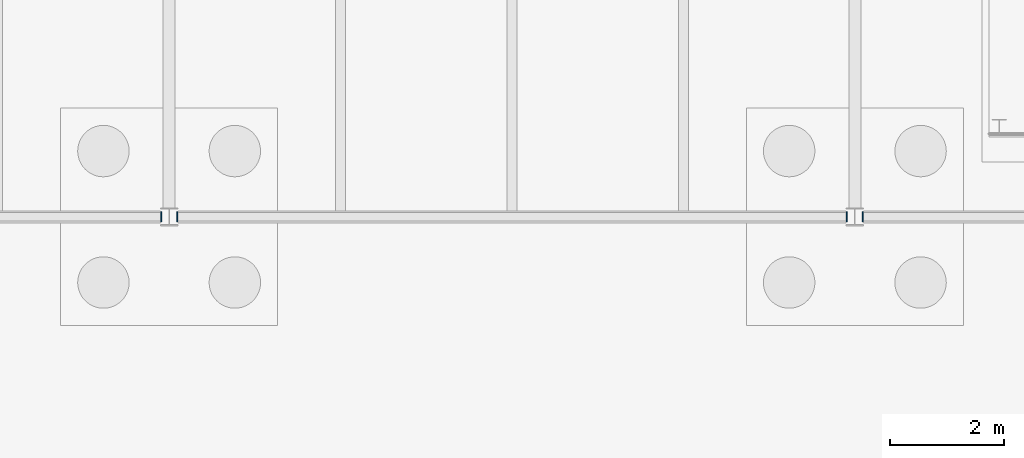
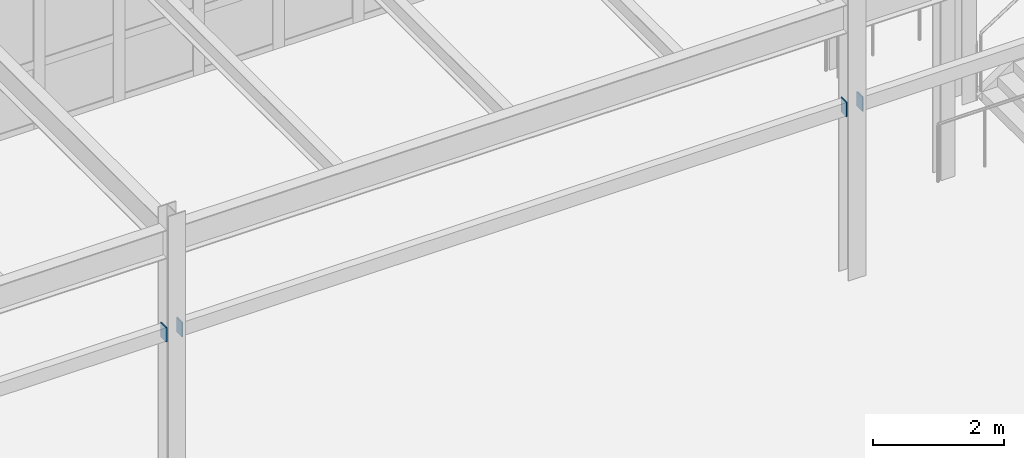
# One storey, part 154 of 188: 4 plates.
"""IFC4 building model written with IfcOpenShell, lengths in metres."""

import ifcopenshell
import ifcopenshell.guid

model = None  # the IFC model being written
_history = None  # IfcOwnerHistory: only IFC2X3 demands one
_inside = {}  # id of a spatial element -> (the spatial element, [elements in it])
_under = {}  # id of a project, library or spatial element -> (it, [spatial elements below it])
_declared = {}  # id of a project -> (the project, [libraries it declares])
_typed = {}  # id of a type object -> (the type object, [elements of that type])
_made_of = {}  # id of a material, layer set ... -> (it, [elements and type objects made of it])


def new_model(schema):
    """Start an empty IFC model of exactly this schema.

    Asked for "IFC4X3", IfcOpenShell would pick the latest addendum, in which some entities
    have other attributes; the version numbers below select the first issue.
    IFC2X3 requires an IfcOwnerHistory on every rooted entity: one is made here for all.
    """
    global model, _history
    if schema == "IFC4X3":
        model = ifcopenshell.file(schema_version=(4, 3, 0, 0))
    else:
        model = ifcopenshell.file(schema=schema)
    _inside.clear()
    _under.clear()
    _declared.clear()
    _typed.clear()
    _made_of.clear()
    _history = None
    if model.schema == "IFC2X3":
        org = make("IfcOrganization", Name="unknown")
        user = make(
            "IfcPersonAndOrganization",
            ThePerson=make("IfcPerson", FamilyName="unknown"),
            TheOrganization=org,
        )
        app = make(
            "IfcApplication",
            ApplicationDeveloper=org,
            Version="unknown",
            ApplicationFullName="unknown",
            ApplicationIdentifier="unknown",
        )
        _history = make(
            "IfcOwnerHistory",
            OwningUser=user,
            OwningApplication=app,
            ChangeAction="ADDED",
            CreationDate=0,
        )
    return model


def make(cls, **values):
    """One entity of the class cls with the attributes given. An attribute that is None is left unset."""
    return model.create_entity(
        cls, **{name: value for name, value in values.items() if value is not None}
    )


def rooted(cls, **values):
    """An entity with a GlobalId (a new one), such as an element, a storey or a relation."""
    return make(cls, GlobalId=ifcopenshell.guid.new(), OwnerHistory=_history, **values)


def si_unit(unit_type, name, prefix=None):
    """IfcSIUnit, for example si_unit("LENGTHUNIT", "METRE", prefix="MILLI")."""
    return make("IfcSIUnit", UnitType=unit_type, Prefix=prefix, Name=name)


def assignment(units):
    """IfcUnitAssignment: the units of a project."""
    return None if units is None else make("IfcUnitAssignment", Units=units)


def point(xyz):
    """IfcCartesianPoint."""
    return None if xyz is None else make("IfcCartesianPoint", Coordinates=xyz)


def direction(xyz):
    """IfcDirection."""
    return None if xyz is None else make("IfcDirection", DirectionRatios=xyz)


def frame(location, z_axis=None, x_axis=None):
    """IfcAxis2Placement3D, a coordinate frame: its origin and axes. An axis left out is left unset."""
    return make(
        "IfcAxis2Placement3D",
        Location=point(location),
        Axis=direction(z_axis),
        RefDirection=direction(x_axis),
    )


def frame_2d(location, x_axis=None):
    """IfcAxis2Placement2D, a coordinate frame in the plane: its origin and x axis."""
    return make(
        "IfcAxis2Placement2D", Location=point(location), RefDirection=direction(x_axis)
    )


def origin():
    """The frame at (0, 0, 0) with its axes left unset."""
    return frame((0.0, 0.0, 0.0))


def origin_2d():
    """The frame at (0, 0) in the plane with its x axis left unset."""
    return frame_2d((0.0, 0.0))


def place(relative_to, where):
    """IfcLocalPlacement: puts the frame where relative to a parent placement (None: the world)."""
    return make(
        "IfcLocalPlacement", PlacementRelTo=relative_to, RelativePlacement=where
    )


def context(
    kind, dimensions, precision=None, world=None, true_north=None, identifier=None
):
    """IfcGeometricRepresentationContext, for example the 3D "Model" context."""
    return make(
        "IfcGeometricRepresentationContext",
        ContextIdentifier=identifier,
        ContextType=kind,
        CoordinateSpaceDimension=dimensions,
        Precision=precision,
        WorldCoordinateSystem=world,
        TrueNorth=true_north,
    )


def subcontext(parent, identifier, kind, view, scale=None):
    """IfcGeometricRepresentationSubContext, for example "Body" below "Model"."""
    return make(
        "IfcGeometricRepresentationSubContext",
        ContextIdentifier=identifier,
        ContextType=kind,
        ParentContext=parent,
        TargetScale=scale,
        TargetView=view,
    )


def project(units=None, contexts=None):
    """IfcProject with its units and contexts."""
    return rooted(
        "IfcProject",
        Name="project",
        RepresentationContexts=contexts,
        UnitsInContext=assignment(units),
    )


def spatial(cls, under=None, at=None, **own):
    """A site, building, storey or space (cls), placed at a placement, below another one or the project."""
    s = rooted(cls, ObjectPlacement=at, **own)
    if under is not None:
        _under.setdefault(under.id(), (under, []))[1].append(s)
    return s


def profile(cls, at=None, kind="AREA", **sizes):
    """A parametric profile (cls). Its sizes go by their IFC names, for example OverallWidth=200.0."""
    return make(cls, ProfileType=kind, Position=at, **sizes)


def rectangle(**sizes):
    """IfcRectangleProfileDef."""
    return profile("IfcRectangleProfileDef", **sizes)


def extrude(swept, where, along, depth):
    """IfcExtrudedAreaSolid: the profile swept, set in the frame where, extruded along a direction by depth."""
    return make(
        "IfcExtrudedAreaSolid",
        SweptArea=swept,
        Position=where,
        ExtrudedDirection=direction(along),
        Depth=depth,
    )


def shape(context_of_items, identifier, shape_type, items):
    """IfcShapeRepresentation: the items that make up one representation, for example the "Body"."""
    return make(
        "IfcShapeRepresentation",
        ContextOfItems=context_of_items,
        RepresentationIdentifier=identifier,
        RepresentationType=shape_type,
        Items=items,
    )


def material(Name=None, Category=None):
    """IfcMaterial."""
    return make("IfcMaterial", Name=Name, Category=Category)


def layer(
    of_material, thickness, ventilated=None, Name=None, Category=None, Priority=None
):
    """IfcMaterialLayer: one layer of a wall or slab, of a material (None: an air gap)."""
    return make(
        "IfcMaterialLayer",
        Material=of_material,
        LayerThickness=thickness,
        IsVentilated=ventilated,
        Name=Name,
        Category=Category,
        Priority=Priority,
    )


def layer_set(layers, Name=None):
    """IfcMaterialLayerSet."""
    return make("IfcMaterialLayerSet", MaterialLayers=layers, LayerSetName=Name)


def made_of(thing, what):
    """Note that an element or type object is made of a material, layer set ...; save() writes the relation."""
    if what is not None:
        _made_of.setdefault(what.id(), (what, []))[1].append(thing)
    return thing


def type_object(cls, material=None, **own):
    """A type object (cls), such as IfcWallType, which elements share."""
    return made_of(rooted(cls, **own), material)


def element(
    cls,
    number,
    at=None,
    inside=None,
    cuts=None,
    type_object=None,
    material=None,
    context=None,
    identifier="Body",
    shape_type=None,
    held_by="IfcProductDefinitionShape",
    body=None,
    shapes=None,
    **own,
):
    """One element of the class cls, such as IfcWall. Its Tag is "e" and its number.

    at: its placement. inside: the storey or other place that contains it. cuts: it is an
    opening in that element (IfcRelVoidsElement). A single representation is given by context,
    identifier, shape_type and body (its items); several are given by shapes. held_by: the class
    of the entity that holds the representations. save() writes the other relations.
    """
    e = rooted(cls, Tag="e%d" % number, ObjectPlacement=at, **own)
    if body is not None:
        shapes = [shape(context, identifier, shape_type, body)]
    if shapes is not None:
        e.Representation = make(held_by, Representations=shapes)
    if inside is not None:
        _inside.setdefault(inside.id(), (inside, []))[1].append(e)
    if cuts is not None:
        rooted(
            "IfcRelVoidsElement", RelatingBuildingElement=cuts, RelatedOpeningElement=e
        )
    if type_object is not None:
        _typed.setdefault(type_object.id(), (type_object, []))[1].append(e)
    return made_of(e, material)


def aggregate(whole, parts):
    """IfcRelAggregates: a whole, such as a stair, and the parts it consists of."""
    return rooted("IfcRelAggregates", RelatingObject=whole, RelatedObjects=parts)


def save(model, path):
    """Write the relations noted so far, then the file.

    IfcRelAggregates (storeys below a building ...), IfcRelContainedInSpatialStructure (elements
    in a storey), IfcRelDefinesByType, IfcRelAssociatesMaterial and IfcRelDeclares: one each for
    every whole, place, type object, material and project.
    """
    for whole, parts in _under.values():
        aggregate(whole, parts)
    for where, things in _inside.values():
        rooted(
            "IfcRelContainedInSpatialStructure",
            RelatedElements=things,
            RelatingStructure=where,
        )
    for kind, things in _typed.values():
        rooted("IfcRelDefinesByType", RelatedObjects=things, RelatingType=kind)
    for what, things in _made_of.values():
        rooted("IfcRelAssociatesMaterial", RelatedObjects=things, RelatingMaterial=what)
    for by, libraries in _declared.values():
        rooted("IfcRelDeclares", RelatingContext=by, RelatedDefinitions=libraries)
    model.write(path)


model = new_model("IFC4")

# Units and contexts
model_context = context("Model", 3, precision=1e-05, world=origin(), true_north=direction((0.0, 1.0)))
body_context = subcontext(model_context, "Body", "Model", "MODEL_VIEW")
ifc_project = project(units=[si_unit("LENGTHUNIT", "METRE"), si_unit("AREAUNIT", "SQUARE_METRE"), si_unit("VOLUMEUNIT", "CUBIC_METRE"), si_unit("PLANEANGLEUNIT", "RADIAN"), si_unit("MASSUNIT", "GRAM", prefix="KILO")], contexts=[model_context])

# Site, building, storey
site_placement = place(None, origin())
site = spatial("IfcSite", under=ifc_project, at=site_placement, CompositionType="ELEMENT")
building_placement = place(site_placement, origin())
building = spatial("IfcBuilding", under=site, at=building_placement, Name="Pandanus Reach Market Hall", CompositionType="ELEMENT")
storey_placement = place(building_placement, origin())
storey = spatial("IfcBuildingStorey", under=building, at=storey_placement, Name="L00", CompositionType="ELEMENT", Elevation=0.0)

# Plates
ifc_material = material(Name="Steel Grade 350 (350 MPa)", Category="steel")
ifc_layer = layer(ifc_material, 0.02001953125, Name="CP-PL20")
ifc_layer_set = layer_set([ifc_layer], Name="Steel Grade 350 (350 MPa)")
plate_type = type_object("IfcPlateType", Name="CP-PL20", PredefinedType="SHEET", material=ifc_layer_set)
for number, where, z_axis, x_axis, name in (
    (1, (71.860107421875, 76.800048828125, 3.014892578125), (0.0, 0.0, 1.0), (1.0, 0.0, 0.0), "Hollow lintel end cap plate CP-PL20 7B"),
    (2, (72.139892578125, 76.800048828125, 3.014892578125), (0.0, 0.0, 1.0), (1.0, 0.0, 0.0), "Hollow lintel end cap plate CP-PL20 8A"),
    (3, (83.860107421875, 76.800048828125, 3.014892578125), (0.0, 0.0, 1.0), (1.0, 0.0, 0.0), "Hollow lintel end cap plate CP-PL20 8B"),
    (4, (84.139892578125, 76.800048828125, 3.014892578125), (0.0, 0.0, 1.0), (1.0, 0.0, 0.0), "Hollow lintel end cap plate CP-PL20 9A"),
):
    element("IfcPlate", number, at=place(storey_placement, frame(where, z_axis=z_axis, x_axis=x_axis)), inside=storey, type_object=plate_type, Name=name, PredefinedType="SHEET", context=body_context, shape_type="SweptSolid", body=[
        extrude(rectangle(XDim=0.02001953125, YDim=0.169921875, at=origin_2d()), origin(), (0.0, 0.0, 1.0), 0.27001953125),
    ])

save(model, "model.ifc")
